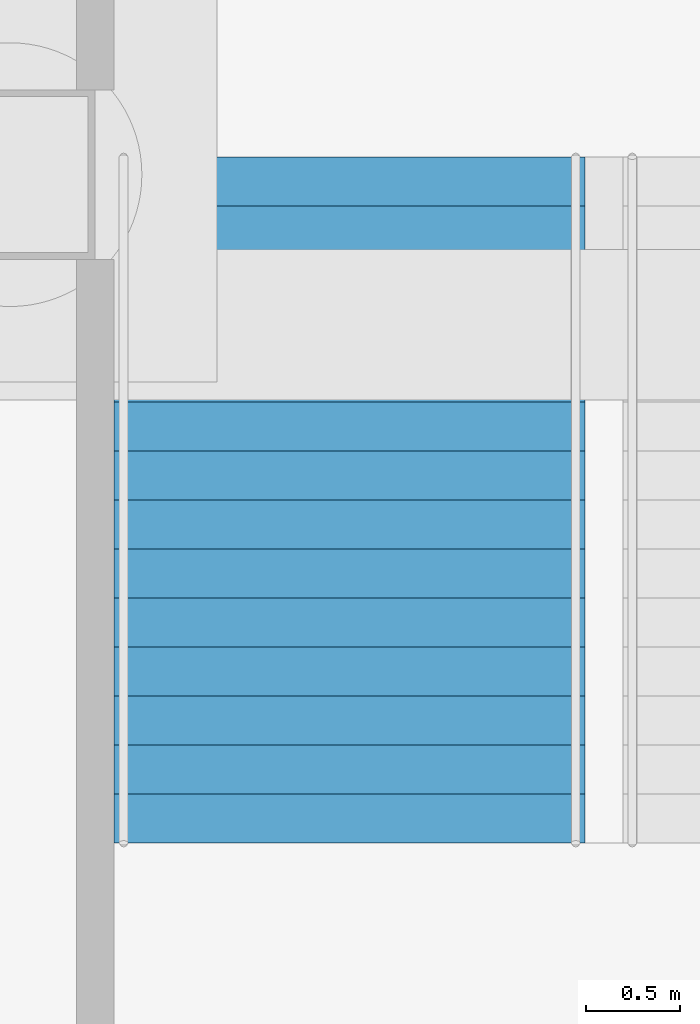
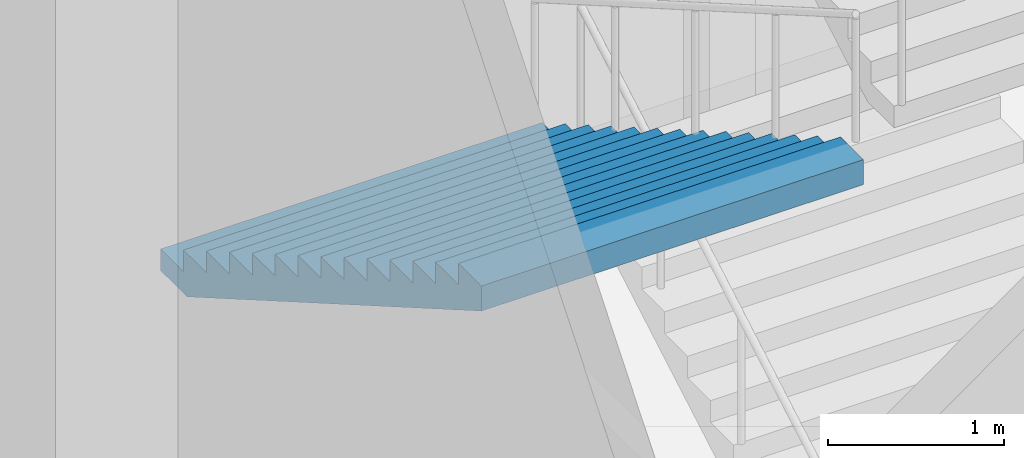
# One storey, part 48 of 113: 1 stair flight, 1 element without a shape of its own.
"""IFC4 building model written with IfcOpenShell, lengths in metres."""

from ifc_helpers import new_model, si_unit, direction, frame, origin, place, context, subcontext, project, spatial, triangles, material, type_object, element, aggregate, save


model = new_model("IFC4")

# Units and contexts
model_context = context("Model", 3, precision=1e-05, world=origin(), true_north=direction((0.0, 1.0)))
body_context = subcontext(model_context, "Body", "Model", "MODEL_VIEW")
ifc_project = project(units=[si_unit("LENGTHUNIT", "METRE"), si_unit("AREAUNIT", "SQUARE_METRE"), si_unit("VOLUMEUNIT", "CUBIC_METRE"), si_unit("PLANEANGLEUNIT", "RADIAN"), si_unit("MASSUNIT", "GRAM", prefix="KILO")], contexts=[model_context])

# Site, building, storey
site_placement = place(None, origin())
site = spatial("IfcSite", under=ifc_project, at=site_placement, CompositionType="ELEMENT")
building_placement = place(site_placement, origin())
building = spatial("IfcBuilding", under=site, at=building_placement, Name="Hakoniwa Tower and Hamabe Station Hall", CompositionType="ELEMENT")
storey_placement = place(building_placement, origin())
storey = spatial("IfcBuildingStorey", under=building, at=storey_placement, Name="L01", CompositionType="ELEMENT", Elevation=0.0)

# Stair, stair flight
ifc_material_1 = material(Name="Concrete C40", Category="concrete")
stair_type = type_object("IfcStairType", Name="STAIR 2500 15X150", PredefinedType="HALF_TURN_STAIR", material=ifc_material_1)
stair_placement = place(storey_placement, origin())
stair = element("IfcStair", 1, at=stair_placement, inside=storey, type_object=stair_type, Name="Escape stair PS4", PredefinedType="HALF_TURN_STAIR")
ifc_material_2 = material(Name="Concrete C40", Category="concrete")
stair_flight_type = type_object("IfcStairFlightType", Name="STAIR FLIGHT 2500", PredefinedType="STRAIGHT", material=ifc_material_2)
stair_flight_placement = place(storey_placement, frame((-47.800048828125, -18.7099609375, 2.25), z_axis=(0.0, 0.0, 1.0), x_axis=(0.0, -1.0, 0.0)))
stair_flight = element("IfcStairFlight", 2, at=stair_flight_placement, type_object=stair_flight_type, Name="PS4 flight 2", NumberOfRisers=15, NumberOfTreads=14, PredefinedType="STRAIGHT", RiserHeight=0.15, TreadLength=0.26, context=body_context, shape_type="Tessellation", body=[
    triangles([(0.0, 1.25, 0.0), (0.260009765625, 1.25, 0.0), (0.300048828125, 1.25, 0.0), (0.52001953125, 1.25, 0.126953125), (0.780029296875, 1.25, 0.27685546875), (1.0400390625, 1.25, 0.427001953125), (1.300048828125, 1.25, 0.576904296875), (1.56005859375, 1.25, 0.72705078125), (1.820068359375, 1.25, 0.876953125), (2.080078125, 1.25, 1.02685546875), (2.340087890625, 1.25, 1.177001953125), (2.60009765625, 1.25, 1.326904296875), (2.860107421875, 1.25, 1.47705078125), (3.1201171875, 1.25, 1.626953125), (3.3798828125, 1.25, 1.77685546875), (3.639892578125, 1.25, 1.927001953125), (3.639892578125, 1.25, 2.10009765625), (3.3798828125, 1.25, 2.10009765625), (3.3798828125, 1.25, 1.949951171875), (3.1201171875, 1.25, 1.949951171875), (3.1201171875, 1.25, 1.800048828125), (2.860107421875, 1.25, 1.800048828125), (2.860107421875, 1.25, 1.64990234375), (2.60009765625, 1.25, 1.64990234375), (2.60009765625, 1.25, 1.5), (2.340087890625, 1.25, 1.5), (2.340087890625, 1.25, 1.35009765625), (2.080078125, 1.25, 1.35009765625), (2.080078125, 1.25, 1.199951171875), (1.820068359375, 1.25, 1.199951171875), (1.820068359375, 1.25, 1.050048828125), (1.56005859375, 1.25, 1.050048828125), (1.56005859375, 1.25, 0.89990234375), (1.300048828125, 1.25, 0.89990234375), (1.300048828125, 1.25, 0.75), (1.0400390625, 1.25, 0.75), (1.0400390625, 1.25, 0.60009765625), (0.780029296875, 1.25, 0.60009765625), (0.780029296875, 1.25, 0.449951171875), (0.52001953125, 1.25, 0.449951171875), (0.52001953125, 1.25, 0.300048828125), (0.300048828125, 1.25, 0.300048828125), (0.260009765625, 1.25, 0.300048828125), (0.260009765625, 1.25, 0.14990234375), (0.0, 1.25, 0.14990234375), (0.0, 0.06005859375, 0.0), (0.260009765625, 0.06005859375, 0.0), (0.300048828125, 0.06005859375, 0.0), (0.52001953125, 0.06005859375, 0.126953125), (0.780029296875, 0.06005859375, 0.27685546875), (1.0400390625, 0.06005859375, 0.427001953125), (1.300048828125, 0.06005859375, 0.576904296875), (1.56005859375, 0.06005859375, 0.72705078125), (1.820068359375, 0.06005859375, 0.876953125), (2.080078125, 0.06005859375, 1.02685546875), (2.340087890625, 0.06005859375, 1.177001953125), (2.60009765625, 0.06005859375, 1.326904296875), (2.860107421875, 0.06005859375, 1.47705078125), (3.1201171875, 0.06005859375, 1.626953125), (3.3798828125, 0.06005859375, 1.77685546875), (3.639892578125, 0.06005859375, 1.927001953125), (3.639892578125, 0.06005859375, 2.10009765625), (3.3798828125, 0.06005859375, 2.10009765625), (3.3798828125, 0.06005859375, 1.949951171875), (3.1201171875, 0.06005859375, 1.949951171875), (3.1201171875, 0.06005859375, 1.800048828125), (2.860107421875, 0.06005859375, 1.800048828125), (2.860107421875, 0.06005859375, 1.64990234375), (2.60009765625, 0.06005859375, 1.64990234375), (2.60009765625, 0.06005859375, 1.5), (2.340087890625, 0.06005859375, 1.5), (2.340087890625, 0.06005859375, 1.35009765625), (2.080078125, 0.06005859375, 1.35009765625), (2.080078125, 0.06005859375, 1.199951171875), (1.820068359375, 0.06005859375, 1.199951171875), (1.820068359375, 0.06005859375, 1.050048828125), (1.56005859375, 0.06005859375, 1.050048828125), (1.56005859375, 0.06005859375, 0.89990234375), (1.300048828125, 0.06005859375, 0.89990234375), (1.300048828125, 0.06005859375, 0.75), (1.0400390625, 0.06005859375, 0.75), (1.0400390625, 0.06005859375, 0.60009765625), (0.780029296875, 0.06005859375, 0.60009765625), (0.780029296875, 0.06005859375, 0.449951171875), (0.52001953125, 0.06005859375, 0.449951171875), (0.52001953125, 0.06005859375, 0.300048828125), (0.300048828125, 0.06005859375, 0.300048828125), (0.260009765625, 0.06005859375, 0.300048828125), (0.260009765625, 0.06005859375, 0.14990234375), (0.0, 0.06005859375, 0.14990234375), (0.0, 0.02001953125, 0.0), (0.260009765625, 0.02001953125, 0.0), (0.300048828125, 0.02001953125, 0.0), (0.52001953125, 0.02001953125, 0.126953125), (0.780029296875, 0.02001953125, 0.27685546875), (1.0400390625, 0.02001953125, 0.427001953125), (1.300048828125, 0.02001953125, 0.576904296875), (1.56005859375, 0.02001953125, 0.72705078125), (1.820068359375, 0.02001953125, 0.876953125), (2.080078125, 0.02001953125, 1.02685546875), (2.340087890625, 0.02001953125, 1.177001953125), (2.60009765625, 0.02001953125, 1.326904296875), (2.860107421875, 0.02001953125, 1.47705078125), (3.1201171875, 0.02001953125, 1.626953125), (3.3798828125, 0.02001953125, 1.77685546875), (3.639892578125, 0.02001953125, 1.927001953125), (3.639892578125, 0.02001953125, 2.10009765625), (3.3798828125, 0.02001953125, 2.10009765625), (3.3798828125, 0.02001953125, 1.949951171875), (3.1201171875, 0.02001953125, 1.949951171875), (3.1201171875, 0.02001953125, 1.800048828125), (2.860107421875, 0.02001953125, 1.800048828125), (2.860107421875, 0.02001953125, 1.64990234375), (2.60009765625, 0.02001953125, 1.64990234375), (2.60009765625, 0.02001953125, 1.5), (2.340087890625, 0.02001953125, 1.5), (2.340087890625, 0.02001953125, 1.35009765625), (2.080078125, 0.02001953125, 1.35009765625), (2.080078125, 0.02001953125, 1.199951171875), (1.820068359375, 0.02001953125, 1.199951171875), (1.820068359375, 0.02001953125, 1.050048828125), (1.56005859375, 0.02001953125, 1.050048828125), (1.56005859375, 0.02001953125, 0.89990234375), (1.300048828125, 0.02001953125, 0.89990234375), (1.300048828125, 0.02001953125, 0.75), (1.0400390625, 0.02001953125, 0.75), (1.0400390625, 0.02001953125, 0.60009765625), (0.780029296875, 0.02001953125, 0.60009765625), (0.780029296875, 0.02001953125, 0.449951171875), (0.52001953125, 0.02001953125, 0.449951171875), (0.52001953125, 0.02001953125, 0.300048828125), (0.300048828125, 0.02001953125, 0.300048828125), (0.260009765625, 0.02001953125, 0.300048828125), (0.260009765625, 0.02001953125, 0.14990234375), (0.0, 0.02001953125, 0.14990234375), (0.0, -0.02001953125, 0.0), (0.260009765625, -0.02001953125, 0.0), (0.300048828125, -0.02001953125, 0.0), (0.52001953125, -0.02001953125, 0.126953125), (0.780029296875, -0.02001953125, 0.27685546875), (1.0400390625, -0.02001953125, 0.427001953125), (1.300048828125, -0.02001953125, 0.576904296875), (1.56005859375, -0.02001953125, 0.72705078125), (1.820068359375, -0.02001953125, 0.876953125), (2.080078125, -0.02001953125, 1.02685546875), (2.340087890625, -0.02001953125, 1.177001953125), (2.60009765625, -0.02001953125, 1.326904296875), (2.860107421875, -0.02001953125, 1.47705078125), (3.1201171875, -0.02001953125, 1.626953125), (3.3798828125, -0.02001953125, 1.77685546875), (3.639892578125, -0.02001953125, 1.927001953125), (3.639892578125, -0.02001953125, 2.10009765625), (3.3798828125, -0.02001953125, 2.10009765625), (3.3798828125, -0.02001953125, 1.949951171875), (3.1201171875, -0.02001953125, 1.949951171875), (3.1201171875, -0.02001953125, 1.800048828125), (2.860107421875, -0.02001953125, 1.800048828125), (2.860107421875, -0.02001953125, 1.64990234375), (2.60009765625, -0.02001953125, 1.64990234375), (2.60009765625, -0.02001953125, 1.5), (2.340087890625, -0.02001953125, 1.5), (2.340087890625, -0.02001953125, 1.35009765625), (2.080078125, -0.02001953125, 1.35009765625), (2.080078125, -0.02001953125, 1.199951171875), (1.820068359375, -0.02001953125, 1.199951171875), (1.820068359375, -0.02001953125, 1.050048828125), (1.56005859375, -0.02001953125, 1.050048828125), (1.56005859375, -0.02001953125, 0.89990234375), (1.300048828125, -0.02001953125, 0.89990234375), (1.300048828125, -0.02001953125, 0.75), (1.0400390625, -0.02001953125, 0.75), (1.0400390625, -0.02001953125, 0.60009765625), (0.780029296875, -0.02001953125, 0.60009765625), (0.780029296875, -0.02001953125, 0.449951171875), (0.52001953125, -0.02001953125, 0.449951171875), (0.52001953125, -0.02001953125, 0.300048828125), (0.300048828125, -0.02001953125, 0.300048828125), (0.260009765625, -0.02001953125, 0.300048828125), (0.260009765625, -0.02001953125, 0.14990234375), (0.0, -0.02001953125, 0.14990234375), (0.0, -0.06005859375, 0.0), (0.260009765625, -0.06005859375, 0.0), (0.300048828125, -0.06005859375, 0.0), (0.52001953125, -0.06005859375, 0.126953125), (0.780029296875, -0.06005859375, 0.27685546875), (1.0400390625, -0.06005859375, 0.427001953125), (1.300048828125, -0.06005859375, 0.576904296875), (1.56005859375, -0.06005859375, 0.72705078125), (1.820068359375, -0.06005859375, 0.876953125), (2.080078125, -0.06005859375, 1.02685546875), (2.340087890625, -0.06005859375, 1.177001953125), (2.60009765625, -0.06005859375, 1.326904296875), (2.860107421875, -0.06005859375, 1.47705078125), (3.1201171875, -0.06005859375, 1.626953125), (3.3798828125, -0.06005859375, 1.77685546875), (3.639892578125, -0.06005859375, 1.927001953125), (3.639892578125, -0.06005859375, 2.10009765625), (3.3798828125, -0.06005859375, 2.10009765625), (3.3798828125, -0.06005859375, 1.949951171875), (3.1201171875, -0.06005859375, 1.949951171875), (3.1201171875, -0.06005859375, 1.800048828125), (2.860107421875, -0.06005859375, 1.800048828125), (2.860107421875, -0.06005859375, 1.64990234375), (2.60009765625, -0.06005859375, 1.64990234375), (2.60009765625, -0.06005859375, 1.5), (2.340087890625, -0.06005859375, 1.5), (2.340087890625, -0.06005859375, 1.35009765625), (2.080078125, -0.06005859375, 1.35009765625), (2.080078125, -0.06005859375, 1.199951171875), (1.820068359375, -0.06005859375, 1.199951171875), (1.820068359375, -0.06005859375, 1.050048828125), (1.56005859375, -0.06005859375, 1.050048828125), (1.56005859375, -0.06005859375, 0.89990234375), (1.300048828125, -0.06005859375, 0.89990234375), (1.300048828125, -0.06005859375, 0.75), (1.0400390625, -0.06005859375, 0.75), (1.0400390625, -0.06005859375, 0.60009765625), (0.780029296875, -0.06005859375, 0.60009765625), (0.780029296875, -0.06005859375, 0.449951171875), (0.52001953125, -0.06005859375, 0.449951171875), (0.52001953125, -0.06005859375, 0.300048828125), (0.300048828125, -0.06005859375, 0.300048828125), (0.260009765625, -0.06005859375, 0.300048828125), (0.260009765625, -0.06005859375, 0.14990234375), (0.0, -0.06005859375, 0.14990234375), (0.0, -1.25, 0.0), (0.260009765625, -1.25, 0.0), (0.300048828125, -1.25, 0.0), (0.52001953125, -1.25, 0.126953125), (0.780029296875, -1.25, 0.27685546875), (1.0400390625, -1.25, 0.427001953125), (1.300048828125, -1.25, 0.576904296875), (1.56005859375, -1.25, 0.72705078125), (1.820068359375, -1.25, 0.876953125), (2.080078125, -1.25, 1.02685546875), (2.340087890625, -1.25, 1.177001953125), (2.60009765625, -1.25, 1.326904296875), (2.860107421875, -1.25, 1.47705078125), (3.1201171875, -1.25, 1.626953125), (3.3798828125, -1.25, 1.77685546875), (3.639892578125, -1.25, 1.927001953125), (3.639892578125, -1.25, 2.10009765625), (3.3798828125, -1.25, 2.10009765625), (3.3798828125, -1.25, 1.949951171875), (3.1201171875, -1.25, 1.949951171875), (3.1201171875, -1.25, 1.800048828125), (2.860107421875, -1.25, 1.800048828125), (2.860107421875, -1.25, 1.64990234375), (2.60009765625, -1.25, 1.64990234375), (2.60009765625, -1.25, 1.5), (2.340087890625, -1.25, 1.5), (2.340087890625, -1.25, 1.35009765625), (2.080078125, -1.25, 1.35009765625), (2.080078125, -1.25, 1.199951171875), (1.820068359375, -1.25, 1.199951171875), (1.820068359375, -1.25, 1.050048828125), (1.56005859375, -1.25, 1.050048828125), (1.56005859375, -1.25, 0.89990234375), (1.300048828125, -1.25, 0.89990234375), (1.300048828125, -1.25, 0.75), (1.0400390625, -1.25, 0.75), (1.0400390625, -1.25, 0.60009765625), (0.780029296875, -1.25, 0.60009765625), (0.780029296875, -1.25, 0.449951171875), (0.52001953125, -1.25, 0.449951171875), (0.52001953125, -1.25, 0.300048828125), (0.300048828125, -1.25, 0.300048828125), (0.260009765625, -1.25, 0.300048828125), (0.260009765625, -1.25, 0.14990234375), (0.0, -1.25, 0.14990234375)], [[2, 45, 44], [227, 269, 270], [2, 1, 45], [227, 270, 226], [3, 43, 42], [228, 267, 268], [3, 44, 43], [228, 268, 269], [3, 2, 44], [228, 269, 227], [4, 42, 41], [229, 266, 267], [4, 3, 42], [229, 267, 228], [5, 40, 39], [230, 264, 265], [5, 41, 40], [230, 265, 266], [5, 4, 41], [230, 266, 229], [6, 38, 37], [231, 262, 263], [6, 39, 38], [231, 263, 264], [6, 5, 39], [231, 264, 230], [7, 36, 35], [232, 260, 261], [7, 37, 36], [232, 261, 262], [7, 6, 37], [232, 262, 231], [8, 34, 33], [233, 258, 259], [8, 35, 34], [233, 259, 260], [8, 7, 35], [233, 260, 232], [9, 32, 31], [234, 256, 257], [9, 33, 32], [234, 257, 258], [9, 8, 33], [234, 258, 233], [10, 30, 29], [235, 254, 255], [10, 31, 30], [235, 255, 256], [10, 9, 31], [235, 256, 234], [11, 28, 27], [236, 252, 253], [11, 29, 28], [236, 253, 254], [11, 10, 29], [236, 254, 235], [12, 26, 25], [237, 250, 251], [12, 27, 26], [237, 251, 252], [12, 11, 27], [237, 252, 236], [13, 24, 23], [238, 248, 249], [13, 25, 24], [238, 249, 250], [13, 12, 25], [238, 250, 237], [14, 22, 21], [239, 246, 247], [14, 23, 22], [239, 247, 248], [14, 13, 23], [239, 248, 238], [15, 20, 19], [240, 244, 245], [15, 21, 20], [240, 245, 246], [15, 14, 21], [240, 246, 239], [16, 18, 17], [241, 242, 243], [16, 19, 18], [241, 243, 244], [16, 15, 19], [241, 244, 240], [1, 2, 47], [1, 47, 46], [46, 47, 92], [46, 92, 91], [91, 92, 137], [91, 137, 136], [136, 137, 182], [136, 182, 181], [181, 182, 227], [181, 227, 226], [2, 3, 48], [2, 48, 47], [47, 48, 93], [47, 93, 92], [92, 93, 138], [92, 138, 137], [137, 138, 183], [137, 183, 182], [182, 183, 228], [182, 228, 227], [3, 4, 49], [3, 49, 48], [48, 49, 94], [48, 94, 93], [93, 94, 139], [93, 139, 138], [138, 139, 184], [138, 184, 183], [183, 184, 229], [183, 229, 228], [4, 5, 50], [4, 50, 49], [49, 50, 95], [49, 95, 94], [94, 95, 140], [94, 140, 139], [139, 140, 185], [139, 185, 184], [184, 185, 230], [184, 230, 229], [5, 6, 51], [5, 51, 50], [50, 51, 96], [50, 96, 95], [95, 96, 141], [95, 141, 140], [140, 141, 186], [140, 186, 185], [185, 186, 231], [185, 231, 230], [6, 7, 52], [6, 52, 51], [51, 52, 97], [51, 97, 96], [96, 97, 142], [96, 142, 141], [141, 142, 187], [141, 187, 186], [186, 187, 232], [186, 232, 231], [7, 8, 53], [7, 53, 52], [52, 53, 98], [52, 98, 97], [97, 98, 143], [97, 143, 142], [142, 143, 188], [142, 188, 187], [187, 188, 233], [187, 233, 232], [8, 9, 54], [8, 54, 53], [53, 54, 99], [53, 99, 98], [98, 99, 144], [98, 144, 143], [143, 144, 189], [143, 189, 188], [188, 189, 234], [188, 234, 233], [9, 10, 55], [9, 55, 54], [54, 55, 100], [54, 100, 99], [99, 100, 145], [99, 145, 144], [144, 145, 190], [144, 190, 189], [189, 190, 235], [189, 235, 234], [10, 11, 56], [10, 56, 55], [55, 56, 101], [55, 101, 100], [100, 101, 146], [100, 146, 145], [145, 146, 191], [145, 191, 190], [190, 191, 236], [190, 236, 235], [11, 12, 57], [11, 57, 56], [56, 57, 102], [56, 102, 101], [101, 102, 147], [101, 147, 146], [146, 147, 192], [146, 192, 191], [191, 192, 237], [191, 237, 236], [12, 13, 58], [12, 58, 57], [57, 58, 103], [57, 103, 102], [102, 103, 148], [102, 148, 147], [147, 148, 193], [147, 193, 192], [192, 193, 238], [192, 238, 237], [13, 14, 59], [13, 59, 58], [58, 59, 104], [58, 104, 103], [103, 104, 149], [103, 149, 148], [148, 149, 194], [148, 194, 193], [193, 194, 239], [193, 239, 238], [14, 15, 60], [14, 60, 59], [59, 60, 105], [59, 105, 104], [104, 105, 150], [104, 150, 149], [149, 150, 195], [149, 195, 194], [194, 195, 240], [194, 240, 239], [15, 16, 61], [15, 61, 60], [60, 61, 106], [60, 106, 105], [105, 106, 151], [105, 151, 150], [150, 151, 196], [150, 196, 195], [195, 196, 241], [195, 241, 240], [16, 17, 62], [16, 62, 61], [61, 62, 107], [61, 107, 106], [106, 107, 152], [106, 152, 151], [151, 152, 197], [151, 197, 196], [196, 197, 242], [196, 242, 241], [17, 18, 63], [17, 63, 62], [62, 63, 108], [62, 108, 107], [107, 108, 153], [107, 153, 152], [152, 153, 198], [152, 198, 197], [197, 198, 243], [197, 243, 242], [18, 19, 64], [18, 64, 63], [63, 64, 109], [63, 109, 108], [108, 109, 154], [108, 154, 153], [153, 154, 199], [153, 199, 198], [198, 199, 244], [198, 244, 243], [19, 20, 65], [19, 65, 64], [64, 65, 110], [64, 110, 109], [109, 110, 155], [109, 155, 154], [154, 155, 200], [154, 200, 199], [199, 200, 245], [199, 245, 244], [20, 21, 66], [20, 66, 65], [65, 66, 111], [65, 111, 110], [110, 111, 156], [110, 156, 155], [155, 156, 201], [155, 201, 200], [200, 201, 246], [200, 246, 245], [21, 22, 67], [21, 67, 66], [66, 67, 112], [66, 112, 111], [111, 112, 157], [111, 157, 156], [156, 157, 202], [156, 202, 201], [201, 202, 247], [201, 247, 246], [22, 23, 68], [22, 68, 67], [67, 68, 113], [67, 113, 112], [112, 113, 158], [112, 158, 157], [157, 158, 203], [157, 203, 202], [202, 203, 248], [202, 248, 247], [23, 24, 69], [23, 69, 68], [68, 69, 114], [68, 114, 113], [113, 114, 159], [113, 159, 158], [158, 159, 204], [158, 204, 203], [203, 204, 249], [203, 249, 248], [24, 25, 70], [24, 70, 69], [69, 70, 115], [69, 115, 114], [114, 115, 160], [114, 160, 159], [159, 160, 205], [159, 205, 204], [204, 205, 250], [204, 250, 249], [25, 26, 71], [25, 71, 70], [70, 71, 116], [70, 116, 115], [115, 116, 161], [115, 161, 160], [160, 161, 206], [160, 206, 205], [205, 206, 251], [205, 251, 250], [26, 27, 72], [26, 72, 71], [71, 72, 117], [71, 117, 116], [116, 117, 162], [116, 162, 161], [161, 162, 207], [161, 207, 206], [206, 207, 252], [206, 252, 251], [27, 28, 73], [27, 73, 72], [72, 73, 118], [72, 118, 117], [117, 118, 163], [117, 163, 162], [162, 163, 208], [162, 208, 207], [207, 208, 253], [207, 253, 252], [28, 29, 74], [28, 74, 73], [73, 74, 119], [73, 119, 118], [118, 119, 164], [118, 164, 163], [163, 164, 209], [163, 209, 208], [208, 209, 254], [208, 254, 253], [29, 30, 75], [29, 75, 74], [74, 75, 120], [74, 120, 119], [119, 120, 165], [119, 165, 164], [164, 165, 210], [164, 210, 209], [209, 210, 255], [209, 255, 254], [30, 31, 76], [30, 76, 75], [75, 76, 121], [75, 121, 120], [120, 121, 166], [120, 166, 165], [165, 166, 211], [165, 211, 210], [210, 211, 256], [210, 256, 255], [31, 32, 77], [31, 77, 76], [76, 77, 122], [76, 122, 121], [121, 122, 167], [121, 167, 166], [166, 167, 212], [166, 212, 211], [211, 212, 257], [211, 257, 256], [32, 33, 78], [32, 78, 77], [77, 78, 123], [77, 123, 122], [122, 123, 168], [122, 168, 167], [167, 168, 213], [167, 213, 212], [212, 213, 258], [212, 258, 257], [33, 34, 79], [33, 79, 78], [78, 79, 124], [78, 124, 123], [123, 124, 169], [123, 169, 168], [168, 169, 214], [168, 214, 213], [213, 214, 259], [213, 259, 258], [34, 35, 80], [34, 80, 79], [79, 80, 125], [79, 125, 124], [124, 125, 170], [124, 170, 169], [169, 170, 215], [169, 215, 214], [214, 215, 260], [214, 260, 259], [35, 36, 81], [35, 81, 80], [80, 81, 126], [80, 126, 125], [125, 126, 171], [125, 171, 170], [170, 171, 216], [170, 216, 215], [215, 216, 261], [215, 261, 260], [36, 37, 82], [36, 82, 81], [81, 82, 127], [81, 127, 126], [126, 127, 172], [126, 172, 171], [171, 172, 217], [171, 217, 216], [216, 217, 262], [216, 262, 261], [37, 38, 83], [37, 83, 82], [82, 83, 128], [82, 128, 127], [127, 128, 173], [127, 173, 172], [172, 173, 218], [172, 218, 217], [217, 218, 263], [217, 263, 262], [38, 39, 84], [38, 84, 83], [83, 84, 129], [83, 129, 128], [128, 129, 174], [128, 174, 173], [173, 174, 219], [173, 219, 218], [218, 219, 264], [218, 264, 263], [39, 40, 85], [39, 85, 84], [84, 85, 130], [84, 130, 129], [129, 130, 175], [129, 175, 174], [174, 175, 220], [174, 220, 219], [219, 220, 265], [219, 265, 264], [40, 41, 86], [40, 86, 85], [85, 86, 131], [85, 131, 130], [130, 131, 176], [130, 176, 175], [175, 176, 221], [175, 221, 220], [220, 221, 266], [220, 266, 265], [41, 42, 87], [41, 87, 86], [86, 87, 132], [86, 132, 131], [131, 132, 177], [131, 177, 176], [176, 177, 222], [176, 222, 221], [221, 222, 267], [221, 267, 266], [42, 43, 88], [42, 88, 87], [87, 88, 133], [87, 133, 132], [132, 133, 178], [132, 178, 177], [177, 178, 223], [177, 223, 222], [222, 223, 268], [222, 268, 267], [43, 44, 89], [43, 89, 88], [88, 89, 134], [88, 134, 133], [133, 134, 179], [133, 179, 178], [178, 179, 224], [178, 224, 223], [223, 224, 269], [223, 269, 268], [44, 45, 90], [44, 90, 89], [89, 90, 135], [89, 135, 134], [134, 135, 180], [134, 180, 179], [179, 180, 225], [179, 225, 224], [224, 225, 270], [224, 270, 269], [45, 1, 46], [45, 46, 90], [90, 46, 91], [90, 91, 135], [135, 91, 136], [135, 136, 180], [180, 136, 181], [180, 181, 225], [225, 181, 226], [225, 226, 270]], closed=True),
])
aggregate(stair, [stair_flight])

save(model, "model.ifc")
